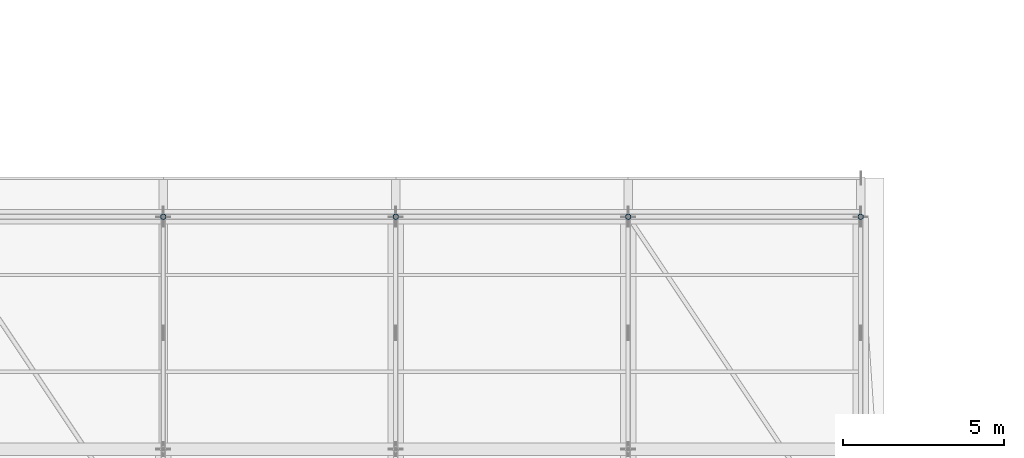
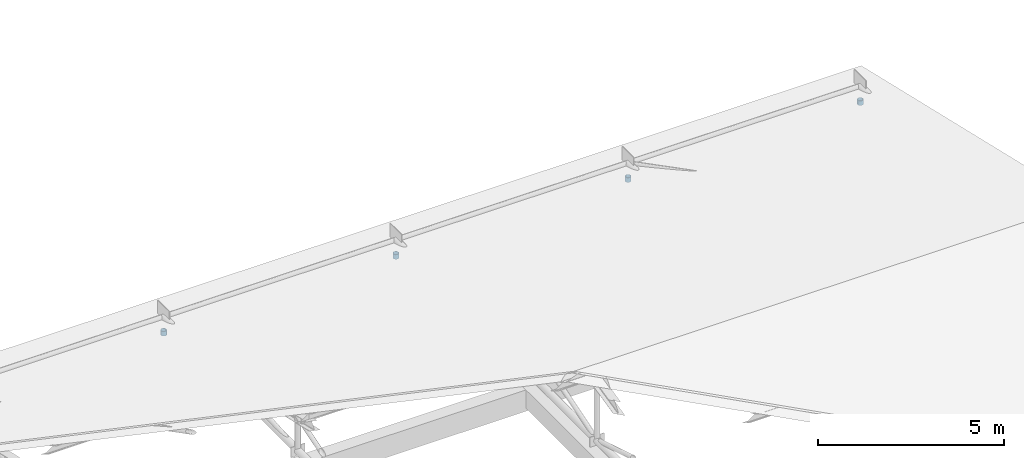
# One storey, part 59 of 84: 4 members.
"""IFC4 building model written with IfcOpenShell, lengths in metres."""

from ifc_helpers import new_model, si_unit, direction, frame, origin, origin_2d, place, context, subcontext, project, spatial, hollow_circle, extrude, material, material_profile, profile_set, type_object, element, save


model = new_model("IFC4")

# Units and contexts
model_context = context("Model", 3, precision=1e-05, world=origin(), true_north=direction((0.0, 1.0)))
body_context = subcontext(model_context, "Body", "Model", "MODEL_VIEW")
ifc_project = project(units=[si_unit("LENGTHUNIT", "METRE"), si_unit("AREAUNIT", "SQUARE_METRE"), si_unit("VOLUMEUNIT", "CUBIC_METRE"), si_unit("PLANEANGLEUNIT", "RADIAN"), si_unit("MASSUNIT", "GRAM", prefix="KILO")], contexts=[model_context])

# Site, building, storey
site_placement = place(None, origin())
site = spatial("IfcSite", under=ifc_project, at=site_placement, CompositionType="ELEMENT")
building_placement = place(site_placement, origin())
building = spatial("IfcBuilding", under=site, at=building_placement, Name="Zornivar Specialist Clinic", CompositionType="ELEMENT")
storey_placement = place(building_placement, frame((0.0, 0.0, 12.300048828125)))
storey = spatial("IfcBuildingStorey", under=building, at=storey_placement, Name="L03", CompositionType="ELEMENT", Elevation=12.300048828125)

# Members
ifc_material = material(Name="Steel S355J2", Category="steel")
ifc_material_profile = material_profile(ifc_material, hollow_circle(Radius=0.084228515625, WallThickness=0.010009765625, at=origin_2d()), Name="CHS 168.3x10")
ifc_profile_set = profile_set([ifc_material_profile], Name="Steel S355J2")
member_type = type_object("IfcMemberType", Name="MEM-STRUT-CHS168", PredefinedType="STRUT", material=ifc_profile_set)
for number, where, z_axis, x_axis, name in (
    (1, (64.800048828125, 21.60009765625, -0.080078125), (0.0, 0.0, -1.0), (1.0, 0.0, 0.0), "mem:V3:L03:post:1:N"),
    (2, (72.0, 21.60009765625, -0.080078125), (0.0, 0.0, -1.0), (1.0, 0.0, 0.0), "mem:V3:L03:post:2:N"),
    (3, (79.199951171875, 21.60009765625, -0.080078125), (0.0, 0.0, -1.0), (1.0, 0.0, 0.0), "mem:V3:L03:post:3:N"),
    (4, (86.39990234375, 21.60009765625, -0.080078125), (0.0, 0.0, -1.0), (1.0, 0.0, 0.0), "mem:V3:L03:post:4:N"),
):
    element("IfcMember", number, at=place(storey_placement, frame(where, z_axis=z_axis, x_axis=x_axis)), inside=storey, type_object=member_type, Name=name, PredefinedType="STRUT", context=body_context, shape_type="SweptSolid", body=[
        extrude(hollow_circle(Radius=0.084228515625, WallThickness=0.010009765625, at=origin_2d()), origin(), (0.0, 0.0, 1.0), 0.14990234375),
    ])

save(model, "model.ifc")
